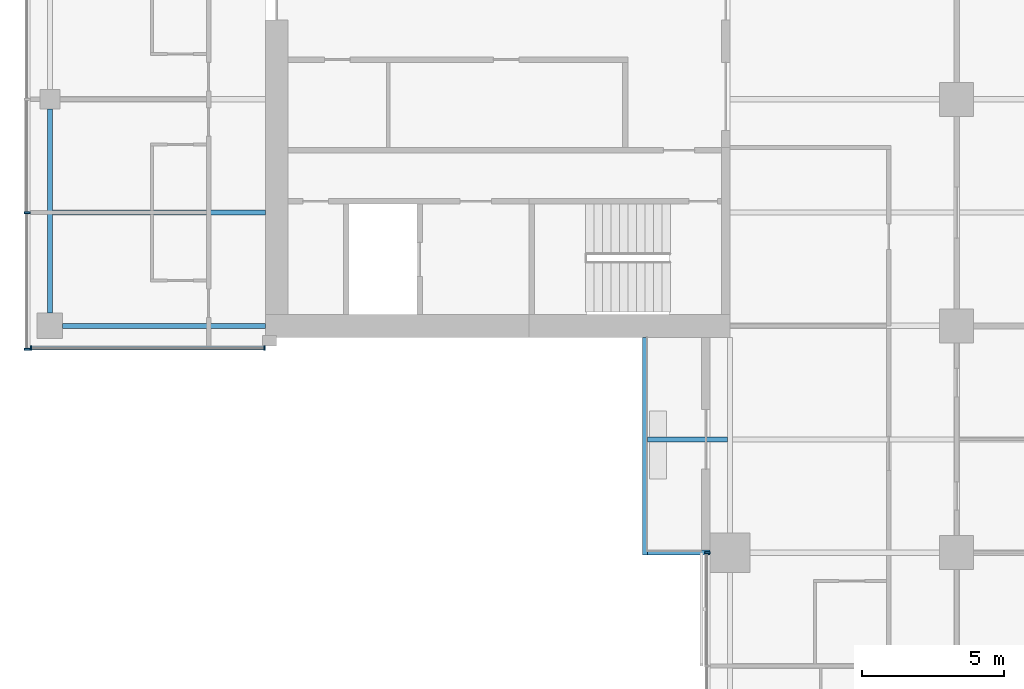
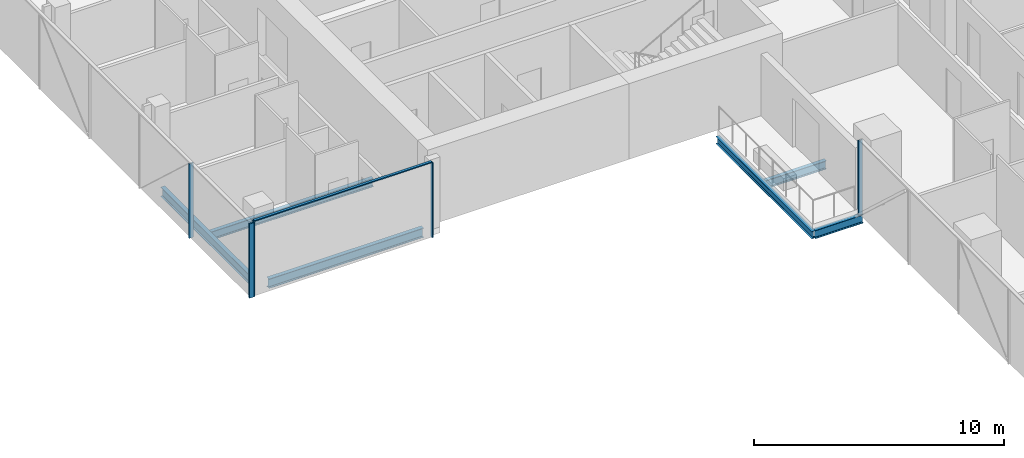
# One storey, part 3 of 27: 6 beams, 6 members, 3 elements without a shape of their own.
"""IFC4 building model written with IfcOpenShell, lengths in metres."""

import ifcopenshell
import ifcopenshell.guid

model = None  # the IFC model being written
_history = None  # IfcOwnerHistory: only IFC2X3 demands one
_inside = {}  # id of a spatial element -> (the spatial element, [elements in it])
_under = {}  # id of a project, library or spatial element -> (it, [spatial elements below it])
_declared = {}  # id of a project -> (the project, [libraries it declares])
_typed = {}  # id of a type object -> (the type object, [elements of that type])
_made_of = {}  # id of a material, layer set ... -> (it, [elements and type objects made of it])


def new_model(schema):
    """Start an empty IFC model of exactly this schema.

    Asked for "IFC4X3", IfcOpenShell would pick the latest addendum, in which some entities
    have other attributes; the version numbers below select the first issue.
    IFC2X3 requires an IfcOwnerHistory on every rooted entity: one is made here for all.
    """
    global model, _history
    if schema == "IFC4X3":
        model = ifcopenshell.file(schema_version=(4, 3, 0, 0))
    else:
        model = ifcopenshell.file(schema=schema)
    _inside.clear()
    _under.clear()
    _declared.clear()
    _typed.clear()
    _made_of.clear()
    _history = None
    if model.schema == "IFC2X3":
        org = make("IfcOrganization", Name="unknown")
        user = make(
            "IfcPersonAndOrganization",
            ThePerson=make("IfcPerson", FamilyName="unknown"),
            TheOrganization=org,
        )
        app = make(
            "IfcApplication",
            ApplicationDeveloper=org,
            Version="unknown",
            ApplicationFullName="unknown",
            ApplicationIdentifier="unknown",
        )
        _history = make(
            "IfcOwnerHistory",
            OwningUser=user,
            OwningApplication=app,
            ChangeAction="ADDED",
            CreationDate=0,
        )
    return model


def make(cls, **values):
    """One entity of the class cls with the attributes given. An attribute that is None is left unset."""
    return model.create_entity(
        cls, **{name: value for name, value in values.items() if value is not None}
    )


def rooted(cls, **values):
    """An entity with a GlobalId (a new one), such as an element, a storey or a relation."""
    return make(cls, GlobalId=ifcopenshell.guid.new(), OwnerHistory=_history, **values)


def si_unit(unit_type, name, prefix=None):
    """IfcSIUnit, for example si_unit("LENGTHUNIT", "METRE", prefix="MILLI")."""
    return make("IfcSIUnit", UnitType=unit_type, Prefix=prefix, Name=name)


def assignment(units):
    """IfcUnitAssignment: the units of a project."""
    return None if units is None else make("IfcUnitAssignment", Units=units)


def point(xyz):
    """IfcCartesianPoint."""
    return None if xyz is None else make("IfcCartesianPoint", Coordinates=xyz)


def direction(xyz):
    """IfcDirection."""
    return None if xyz is None else make("IfcDirection", DirectionRatios=xyz)


def frame(location, z_axis=None, x_axis=None):
    """IfcAxis2Placement3D, a coordinate frame: its origin and axes. An axis left out is left unset."""
    return make(
        "IfcAxis2Placement3D",
        Location=point(location),
        Axis=direction(z_axis),
        RefDirection=direction(x_axis),
    )


def frame_2d(location, x_axis=None):
    """IfcAxis2Placement2D, a coordinate frame in the plane: its origin and x axis."""
    return make(
        "IfcAxis2Placement2D", Location=point(location), RefDirection=direction(x_axis)
    )


def origin():
    """The frame at (0, 0, 0) with its axes left unset."""
    return frame((0.0, 0.0, 0.0))


def origin_2d():
    """The frame at (0, 0) in the plane with its x axis left unset."""
    return frame_2d((0.0, 0.0))


def place(relative_to, where):
    """IfcLocalPlacement: puts the frame where relative to a parent placement (None: the world)."""
    return make(
        "IfcLocalPlacement", PlacementRelTo=relative_to, RelativePlacement=where
    )


def context(
    kind, dimensions, precision=None, world=None, true_north=None, identifier=None
):
    """IfcGeometricRepresentationContext, for example the 3D "Model" context."""
    return make(
        "IfcGeometricRepresentationContext",
        ContextIdentifier=identifier,
        ContextType=kind,
        CoordinateSpaceDimension=dimensions,
        Precision=precision,
        WorldCoordinateSystem=world,
        TrueNorth=true_north,
    )


def subcontext(parent, identifier, kind, view, scale=None):
    """IfcGeometricRepresentationSubContext, for example "Body" below "Model"."""
    return make(
        "IfcGeometricRepresentationSubContext",
        ContextIdentifier=identifier,
        ContextType=kind,
        ParentContext=parent,
        TargetScale=scale,
        TargetView=view,
    )


def project(units=None, contexts=None):
    """IfcProject with its units and contexts."""
    return rooted(
        "IfcProject",
        Name="project",
        RepresentationContexts=contexts,
        UnitsInContext=assignment(units),
    )


def spatial(cls, under=None, at=None, **own):
    """A site, building, storey or space (cls), placed at a placement, below another one or the project."""
    s = rooted(cls, ObjectPlacement=at, **own)
    if under is not None:
        _under.setdefault(under.id(), (under, []))[1].append(s)
    return s


def profile(cls, at=None, kind="AREA", **sizes):
    """A parametric profile (cls). Its sizes go by their IFC names, for example OverallWidth=200.0."""
    return make(cls, ProfileType=kind, Position=at, **sizes)


def rectangle(**sizes):
    """IfcRectangleProfileDef."""
    return profile("IfcRectangleProfileDef", **sizes)


def i_section(**sizes):
    """IfcIShapeProfileDef."""
    return profile("IfcIShapeProfileDef", **sizes)


def extrude(swept, where, along, depth):
    """IfcExtrudedAreaSolid: the profile swept, set in the frame where, extruded along a direction by depth."""
    return make(
        "IfcExtrudedAreaSolid",
        SweptArea=swept,
        Position=where,
        ExtrudedDirection=direction(along),
        Depth=depth,
    )


def shape(context_of_items, identifier, shape_type, items):
    """IfcShapeRepresentation: the items that make up one representation, for example the "Body"."""
    return make(
        "IfcShapeRepresentation",
        ContextOfItems=context_of_items,
        RepresentationIdentifier=identifier,
        RepresentationType=shape_type,
        Items=items,
    )


def material(Name=None, Category=None):
    """IfcMaterial."""
    return make("IfcMaterial", Name=Name, Category=Category)


def material_profile(
    of_material, cross_section, Name=None, Category=None, Priority=None
):
    """IfcMaterialProfile: a cross section and its material."""
    return make(
        "IfcMaterialProfile",
        Name=Name,
        Material=of_material,
        Profile=cross_section,
        Priority=Priority,
        Category=Category,
    )


def profile_set(profiles, Name=None, composite=None):
    """IfcMaterialProfileSet."""
    return make(
        "IfcMaterialProfileSet",
        Name=Name,
        MaterialProfiles=profiles,
        CompositeProfile=composite,
    )


def made_of(thing, what):
    """Note that an element or type object is made of a material, layer set ...; save() writes the relation."""
    if what is not None:
        _made_of.setdefault(what.id(), (what, []))[1].append(thing)
    return thing


def type_object(cls, material=None, **own):
    """A type object (cls), such as IfcWallType, which elements share."""
    return made_of(rooted(cls, **own), material)


def element(
    cls,
    number,
    at=None,
    inside=None,
    cuts=None,
    type_object=None,
    material=None,
    context=None,
    identifier="Body",
    shape_type=None,
    held_by="IfcProductDefinitionShape",
    body=None,
    shapes=None,
    **own,
):
    """One element of the class cls, such as IfcWall. Its Tag is "e" and its number.

    at: its placement. inside: the storey or other place that contains it. cuts: it is an
    opening in that element (IfcRelVoidsElement). A single representation is given by context,
    identifier, shape_type and body (its items); several are given by shapes. held_by: the class
    of the entity that holds the representations. save() writes the other relations.
    """
    e = rooted(cls, Tag="e%d" % number, ObjectPlacement=at, **own)
    if body is not None:
        shapes = [shape(context, identifier, shape_type, body)]
    if shapes is not None:
        e.Representation = make(held_by, Representations=shapes)
    if inside is not None:
        _inside.setdefault(inside.id(), (inside, []))[1].append(e)
    if cuts is not None:
        rooted(
            "IfcRelVoidsElement", RelatingBuildingElement=cuts, RelatedOpeningElement=e
        )
    if type_object is not None:
        _typed.setdefault(type_object.id(), (type_object, []))[1].append(e)
    return made_of(e, material)


def aggregate(whole, parts):
    """IfcRelAggregates: a whole, such as a stair, and the parts it consists of."""
    return rooted("IfcRelAggregates", RelatingObject=whole, RelatedObjects=parts)


def save(model, path):
    """Write the relations noted so far, then the file.

    IfcRelAggregates (storeys below a building ...), IfcRelContainedInSpatialStructure (elements
    in a storey), IfcRelDefinesByType, IfcRelAssociatesMaterial and IfcRelDeclares: one each for
    every whole, place, type object, material and project.
    """
    for whole, parts in _under.values():
        aggregate(whole, parts)
    for where, things in _inside.values():
        rooted(
            "IfcRelContainedInSpatialStructure",
            RelatedElements=things,
            RelatingStructure=where,
        )
    for kind, things in _typed.values():
        rooted("IfcRelDefinesByType", RelatedObjects=things, RelatingType=kind)
    for what, things in _made_of.values():
        rooted("IfcRelAssociatesMaterial", RelatedObjects=things, RelatingMaterial=what)
    for by, libraries in _declared.values():
        rooted("IfcRelDeclares", RelatingContext=by, RelatedDefinitions=libraries)
    model.write(path)


model = new_model("IFC4")

# Units and contexts
model_context = context("Model", 3, precision=1e-05, world=origin(), true_north=direction((0.0, 1.0)))
body_context = subcontext(model_context, "Body", "Model", "MODEL_VIEW")
ifc_project = project(units=[si_unit("LENGTHUNIT", "METRE"), si_unit("AREAUNIT", "SQUARE_METRE"), si_unit("VOLUMEUNIT", "CUBIC_METRE"), si_unit("PLANEANGLEUNIT", "RADIAN"), si_unit("MASSUNIT", "GRAM", prefix="KILO")], contexts=[model_context])

# Site, building, storey
site_placement = place(None, origin())
site = spatial("IfcSite", under=ifc_project, at=site_placement, CompositionType="ELEMENT")
building_placement = place(site_placement, origin())
building = spatial("IfcBuilding", under=site, at=building_placement, Name="Crosswind Convention Tower", CompositionType="ELEMENT")
storey_placement = place(building_placement, frame((0.0, 0.0, 75.699951171875)))
storey = spatial("IfcBuildingStorey", under=building, at=storey_placement, Name="L13", CompositionType="ELEMENT", Elevation=75.699951171875)

# Beams
ifc_material_1 = material(Name="Steel S355", Category="steel")
ifc_material_profile_1 = material_profile(ifc_material_1, i_section(OverallWidth=0.177734375, OverallDepth=0.406494140625, WebThickness=0.0078125, FlangeThickness=0.0126953125, FilletRadius=0.01025390625, at=origin_2d()), Name="UB 406x178x60")
ifc_profile_set_1 = profile_set([ifc_material_profile_1], Name="Steel S355")
beam_type_1 = type_object("IfcBeamType", Name="Balcony cantilever UB 406x178x60", PredefinedType="BEAM", material=ifc_profile_set_1)
beam_1_placement = place(storey_placement, frame((112.90478515625, 84.0, -0.483154296875), z_axis=(-1.0, 0.0, 0.0), x_axis=(0.0, -1.0, 0.0)))
element("IfcBeam", 1, at=beam_1_placement, inside=storey, type_object=beam_type_1, Name="B35 L13 balcony cantilever SW 7", PredefinedType="BEAM", context=body_context, shape_type="SweptSolid", body=[
    extrude(i_section(OverallWidth=0.177734375, OverallDepth=0.406494140625, WebThickness=0.0078125, FlangeThickness=0.0126953125, FilletRadius=0.01025390625, at=origin_2d()), origin(), (0.0, 0.0, 1.0), 2.8193359375),
])
beam_2_placement = place(storey_placement, frame((112.300048828125, 80.0, -0.483154296875), z_axis=(-1.0, 0.0, 0.0), x_axis=(0.0, -1.0, 0.0)))
element("IfcBeam", 2, at=beam_2_placement, inside=storey, type_object=beam_type_1, Name="B35 L13 balcony cantilever SW 8", PredefinedType="BEAM", context=body_context, shape_type="SweptSolid", body=[
    extrude(i_section(OverallWidth=0.177734375, OverallDepth=0.406494140625, WebThickness=0.0078125, FlangeThickness=0.0126953125, FilletRadius=0.01025390625, at=origin_2d()), origin(), (0.0, 0.0, 1.0), 2.214599609375),
])
ifc_material_profile_2 = material_profile(ifc_material_1, i_section(OverallWidth=0.1708984375, OverallDepth=0.35205078125, WebThickness=0.0068359375, FlangeThickness=0.009765625, FilletRadius=0.01025390625, at=origin_2d()), Name="UB 356x171x45")
ifc_profile_set_2 = profile_set([ifc_material_profile_2], Name="Steel S355")
beam_type_2 = type_object("IfcBeamType", Name="Balcony edge beam UB 356x171x45", PredefinedType="BEAM", material=ifc_profile_set_2)
beam_3_placement = place(storey_placement, frame((110.0, 87.60009765625, -0.4560546875), z_axis=(0.0, -1.0, 0.0), x_axis=(1.0, 0.0, 0.0)))
element("IfcBeam", 3, at=beam_3_placement, inside=storey, type_object=beam_type_2, Name="B37 L13 balcony edge beam SW 9", PredefinedType="BEAM", context=body_context, shape_type="SweptSolid", body=[
    extrude(i_section(OverallWidth=0.1708984375, OverallDepth=0.35205078125, WebThickness=0.0068359375, FlangeThickness=0.009765625, FilletRadius=0.01025390625, at=origin_2d()), origin(), (0.0, 0.0, 1.0), 7.68896484375),
])
ifc_material_profile_3 = material_profile(ifc_material_1, i_section(OverallWidth=0.1904296875, OverallDepth=0.457275390625, WebThickness=0.009033203125, FlangeThickness=0.014404296875, FilletRadius=0.01025390625, at=origin_2d()), Name="UB 457x191x75")
ifc_profile_set_3 = profile_set([ifc_material_profile_3], Name="Steel S355")
beam_type_3 = type_object("IfcBeamType", Name="Edge beam UB 457x191x75", PredefinedType="SPANDREL", material=ifc_profile_set_3)
beam_4_placement = place(storey_placement, frame((89.0, 88.449951171875, -0.508544921875), z_axis=(0.0, 1.0, 0.0), x_axis=(-1.0, 0.0, 0.0)))
element("IfcBeam", 4, at=beam_4_placement, inside=storey, type_object=beam_type_3, Name="B17 L13 edge beam 1", PredefinedType="SPANDREL", context=body_context, shape_type="SweptSolid", body=[
    extrude(i_section(OverallWidth=0.1904296875, OverallDepth=0.457275390625, WebThickness=0.009033203125, FlangeThickness=0.014404296875, FilletRadius=0.01025390625, at=origin_2d()), origin(), (0.0, 0.0, 1.0), 7.199951171875),
])
beam_5_placement = place(storey_placement, frame((89.449951171875, 88.0, -0.508544921875), z_axis=(1.0, 0.0, 0.0), x_axis=(0.0, 1.0, 0.0)))
element("IfcBeam", 5, at=beam_5_placement, inside=storey, type_object=beam_type_3, Name="B17 L13 edge beam 4", PredefinedType="SPANDREL", context=body_context, shape_type="SweptSolid", body=[
    extrude(i_section(OverallWidth=0.1904296875, OverallDepth=0.457275390625, WebThickness=0.009033203125, FlangeThickness=0.014404296875, FilletRadius=0.01025390625, at=origin_2d()), origin(), (0.0, 0.0, 1.0), 7.150146484375),
])

# Curtain wall, members
ifc_material_2 = material(Name="Aluminium unitised curtain wall", Category="aluminium")
curtain_wall_type_1 = type_object("IfcCurtainWallType", Name="CORE END SLOT WALL 160", PredefinedType="USERDEFINED", material=ifc_material_2)
curtain_wall_1_placement = place(storey_placement, origin())
curtain_wall_1 = element("IfcCurtainWall", 6, at=curtain_wall_1_placement, inside=storey, type_object=curtain_wall_type_1, Name="CW6 L13 W-S.1-1 slot", ObjectType="UNITISED", PredefinedType="USERDEFINED")
ifc_material_3 = material(Name="Aluminium mullion", Category="aluminium")
ifc_material_profile_4 = material_profile(ifc_material_3, rectangle(XDim=0.159912109375, YDim=0.050048828125, at=origin_2d()), Name="AL 160X50")
ifc_profile_set_4 = profile_set([ifc_material_profile_4], Name="Aluminium mullion")
member_type_1 = type_object("IfcMemberType", Name="MULLION 50X160", PredefinedType="MULLION", material=ifc_profile_set_4)
member_1_placement = place(storey_placement, frame((88.324951171875, 87.219970703125, -0.280029296875), z_axis=(0.0, 0.0, 1.0), x_axis=(0.0, -1.0, 0.0)))
member_1 = element("IfcMember", 7, at=member_1_placement, type_object=member_type_1, Name="CW6 mullion 1", PredefinedType="MULLION", context=body_context, shape_type="SweptSolid", body=[
    extrude(rectangle(XDim=0.159912109375, YDim=0.050048828125, at=origin_2d()), origin(), (0.0, 0.0, 1.0), 3.650146484375),
])
member_2_placement = place(storey_placement, frame((96.574951171875, 87.219970703125, -0.280029296875), z_axis=(0.0, 0.0, 1.0), x_axis=(0.0, -1.0, 0.0)))
member_2 = element("IfcMember", 8, at=member_2_placement, type_object=member_type_1, Name="CW6 mullion 2", PredefinedType="MULLION", context=body_context, shape_type="SweptSolid", body=[
    extrude(rectangle(XDim=0.159912109375, YDim=0.050048828125, at=origin_2d()), origin(), (0.0, 0.0, 1.0), 3.650146484375),
])

curtain_wall_type_2 = type_object("IfcCurtainWallType", Name="HOTEL UNITISED WALL 200", PredefinedType="USERDEFINED", material=ifc_material_2)
curtain_wall_2_placement = place(storey_placement, origin())
curtain_wall_2 = element("IfcCurtainWall", 9, at=curtain_wall_2_placement, inside=storey, type_object=curtain_wall_type_2, Name="CW2 L13 W-TIP 1", ObjectType="UNITISED", PredefinedType="USERDEFINED")
ifc_material_profile_5 = material_profile(ifc_material_3, rectangle(XDim=0.199951171875, YDim=0.06494140625, at=origin_2d()), Name="AL 200X65")
ifc_profile_set_5 = profile_set([ifc_material_profile_5], Name="Aluminium mullion")
member_type_2 = type_object("IfcMemberType", Name="MULLION 65X200", PredefinedType="MULLION", material=ifc_profile_set_5)
member_3_placement = place(storey_placement, frame((88.199951171875, 92.0, -0.280029296875), z_axis=(0.0, 0.0, 1.0), x_axis=(-1.0, 0.0, 0.0)))
member_3 = element("IfcMember", 10, at=member_3_placement, type_object=member_type_2, Name="CW2 mullion 6", PredefinedType="MULLION", context=body_context, shape_type="SweptSolid", body=[
    extrude(rectangle(XDim=0.199951171875, YDim=0.06494140625, at=origin_2d()), origin(), (0.0, 0.0, 1.0), 3.635009765625),
])
member_4_placement = place(storey_placement, frame((88.199951171875, 87.172607421875, -0.280029296875), z_axis=(0.0, 0.0, 1.0), x_axis=(-1.0, 0.0, 0.0)))
member_4 = element("IfcMember", 11, at=member_4_placement, type_object=member_type_2, Name="CW2 mullion 7", PredefinedType="MULLION", context=body_context, shape_type="SweptSolid", body=[
    extrude(rectangle(XDim=0.199951171875, YDim=0.06494140625, at=origin_2d()), origin(), (0.0, 0.0, 1.0), 3.635009765625),
])
aggregate(curtain_wall_2, [member_3, member_4])

# Curtain wall, member
curtain_wall_3_placement = place(storey_placement, origin())
curtain_wall_3 = element("IfcCurtainWall", 12, at=curtain_wall_3_placement, inside=storey, type_object=curtain_wall_type_2, Name="CW2 L13 S-W 1", ObjectType="UNITISED", PredefinedType="USERDEFINED")
member_5_placement = place(storey_placement, frame((112.199951171875, 80.0, -0.280029296875), z_axis=(0.0, 0.0, 1.0), x_axis=(-1.0, 0.0, 0.0)))
member_5 = element("IfcMember", 13, at=member_5_placement, type_object=member_type_2, Name="CW2 mullion 1", PredefinedType="MULLION", context=body_context, shape_type="SweptSolid", body=[
    extrude(rectangle(XDim=0.199951171875, YDim=0.06494140625, at=origin_2d()), origin(), (0.0, 0.0, 1.0), 3.635009765625),
])
aggregate(curtain_wall_3, [member_5])

# Beam
ifc_material_profile_6 = material_profile(ifc_material_1, i_section(OverallWidth=0.177734375, OverallDepth=0.406494140625, WebThickness=0.0078125, FlangeThickness=0.0126953125, FilletRadius=0.01025390625, at=origin_2d()), Name="UB 406x178x60")
ifc_profile_set_6 = profile_set([ifc_material_profile_6], Name="Steel S355")
beam_type_4 = type_object("IfcBeamType", Name="Secondary beam UB 406x178x60", PredefinedType="JOIST", material=ifc_profile_set_6)
beam_6_placement = place(storey_placement, frame((89.09521484375, 92.0, -0.483154296875), z_axis=(1.0, 0.0, 0.0), x_axis=(0.0, 1.0, 0.0)))
element("IfcBeam", 14, at=beam_6_placement, inside=storey, type_object=beam_type_4, Name="B10 L13 secondary beam 1", PredefinedType="JOIST", context=body_context, shape_type="SweptSolid", body=[
    extrude(i_section(OverallWidth=0.177734375, OverallDepth=0.406494140625, WebThickness=0.0078125, FlangeThickness=0.0126953125, FilletRadius=0.01025390625, at=origin_2d()), origin(), (0.0, 0.0, 1.0), 7.5048828125),
])

# Member
ifc_material_4 = material(Name="Aluminium transom", Category="aluminium")
ifc_material_profile_7 = material_profile(ifc_material_4, rectangle(XDim=0.1201171875, YDim=0.050048828125, at=origin_2d()), Name="AL 120X50")
ifc_profile_set_7 = profile_set([ifc_material_profile_7], Name="Aluminium transom")
member_type_3 = type_object("IfcMemberType", Name="TRANSOM 50X120", PredefinedType="USERDEFINED", material=ifc_profile_set_7)
member_6_placement = place(storey_placement, frame((88.35009765625, 87.219970703125, 3.39501953125), z_axis=(1.0, 0.0, 0.0), x_axis=(0.0, 1.0, 0.0)))
member_6 = element("IfcMember", 15, at=member_6_placement, type_object=member_type_3, Name="CW6 transom", ObjectType="TRANSOM", PredefinedType="USERDEFINED", context=body_context, shape_type="SweptSolid", body=[
    extrude(rectangle(XDim=0.1201171875, YDim=0.050048828125, at=origin_2d()), origin(), (0.0, 0.0, 1.0), 8.199951171875),
])

aggregate(curtain_wall_1, [member_1, member_2, member_6])

save(model, "model.ifc")
